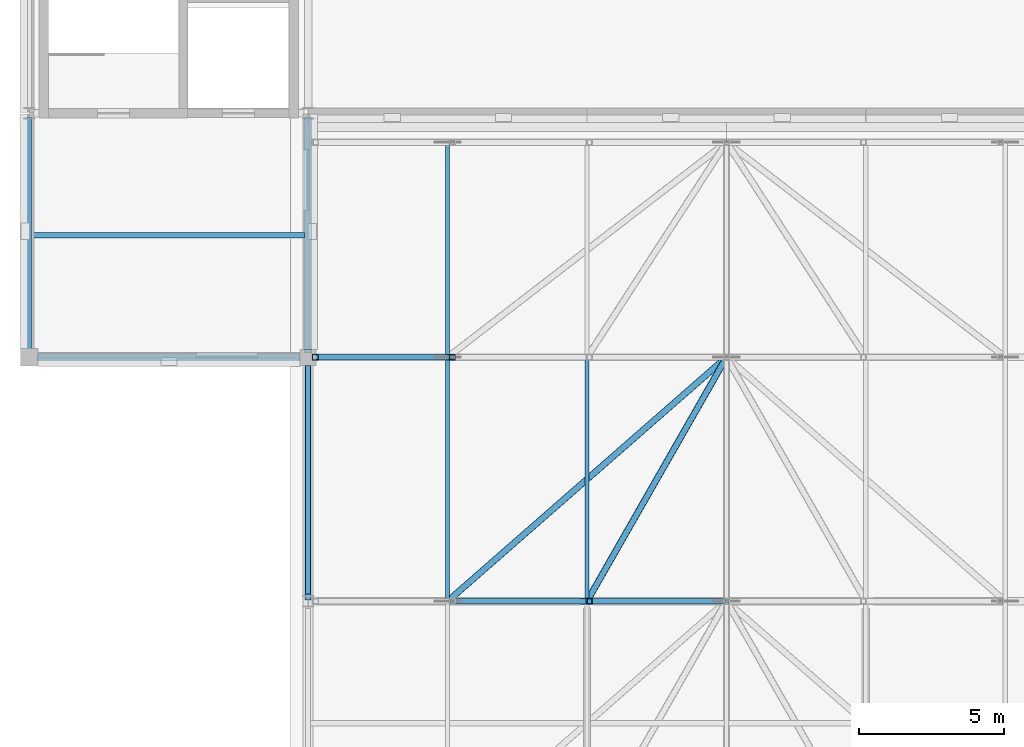
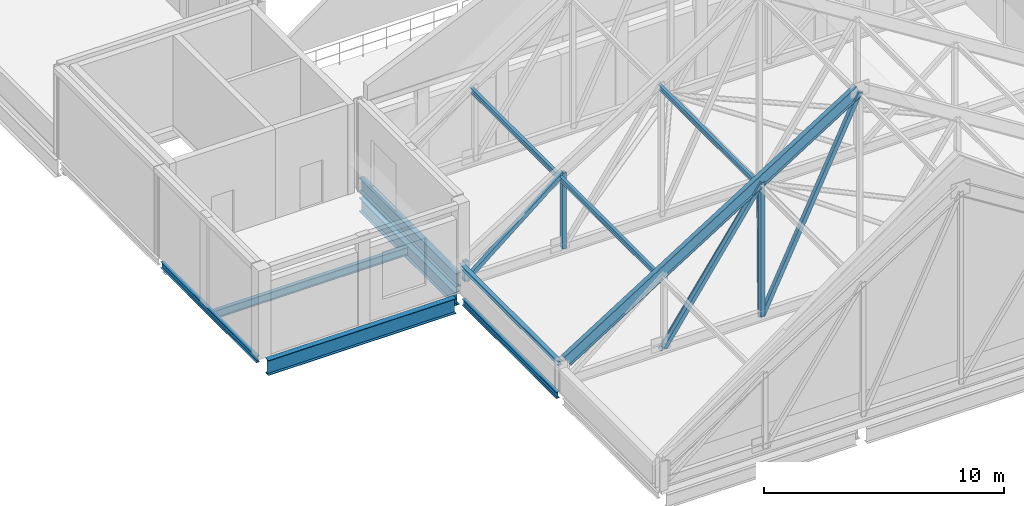
# One storey, part 5 of 26: 11 beams, 8 members.
"""IFC4 building model written with IfcOpenShell, lengths in metres."""

import ifcopenshell
import ifcopenshell.guid

model = None  # the IFC model being written
_history = None  # IfcOwnerHistory: only IFC2X3 demands one
_inside = {}  # id of a spatial element -> (the spatial element, [elements in it])
_under = {}  # id of a project, library or spatial element -> (it, [spatial elements below it])
_declared = {}  # id of a project -> (the project, [libraries it declares])
_typed = {}  # id of a type object -> (the type object, [elements of that type])
_made_of = {}  # id of a material, layer set ... -> (it, [elements and type objects made of it])


def new_model(schema):
    """Start an empty IFC model of exactly this schema.

    Asked for "IFC4X3", IfcOpenShell would pick the latest addendum, in which some entities
    have other attributes; the version numbers below select the first issue.
    IFC2X3 requires an IfcOwnerHistory on every rooted entity: one is made here for all.
    """
    global model, _history
    if schema == "IFC4X3":
        model = ifcopenshell.file(schema_version=(4, 3, 0, 0))
    else:
        model = ifcopenshell.file(schema=schema)
    _inside.clear()
    _under.clear()
    _declared.clear()
    _typed.clear()
    _made_of.clear()
    _history = None
    if model.schema == "IFC2X3":
        org = make("IfcOrganization", Name="unknown")
        user = make(
            "IfcPersonAndOrganization",
            ThePerson=make("IfcPerson", FamilyName="unknown"),
            TheOrganization=org,
        )
        app = make(
            "IfcApplication",
            ApplicationDeveloper=org,
            Version="unknown",
            ApplicationFullName="unknown",
            ApplicationIdentifier="unknown",
        )
        _history = make(
            "IfcOwnerHistory",
            OwningUser=user,
            OwningApplication=app,
            ChangeAction="ADDED",
            CreationDate=0,
        )
    return model


def make(cls, **values):
    """One entity of the class cls with the attributes given. An attribute that is None is left unset."""
    return model.create_entity(
        cls, **{name: value for name, value in values.items() if value is not None}
    )


def rooted(cls, **values):
    """An entity with a GlobalId (a new one), such as an element, a storey or a relation."""
    return make(cls, GlobalId=ifcopenshell.guid.new(), OwnerHistory=_history, **values)


def si_unit(unit_type, name, prefix=None):
    """IfcSIUnit, for example si_unit("LENGTHUNIT", "METRE", prefix="MILLI")."""
    return make("IfcSIUnit", UnitType=unit_type, Prefix=prefix, Name=name)


def assignment(units):
    """IfcUnitAssignment: the units of a project."""
    return None if units is None else make("IfcUnitAssignment", Units=units)


def point(xyz):
    """IfcCartesianPoint."""
    return None if xyz is None else make("IfcCartesianPoint", Coordinates=xyz)


def direction(xyz):
    """IfcDirection."""
    return None if xyz is None else make("IfcDirection", DirectionRatios=xyz)


def frame(location, z_axis=None, x_axis=None):
    """IfcAxis2Placement3D, a coordinate frame: its origin and axes. An axis left out is left unset."""
    return make(
        "IfcAxis2Placement3D",
        Location=point(location),
        Axis=direction(z_axis),
        RefDirection=direction(x_axis),
    )


def frame_2d(location, x_axis=None):
    """IfcAxis2Placement2D, a coordinate frame in the plane: its origin and x axis."""
    return make(
        "IfcAxis2Placement2D", Location=point(location), RefDirection=direction(x_axis)
    )


def origin():
    """The frame at (0, 0, 0) with its axes left unset."""
    return frame((0.0, 0.0, 0.0))


def origin_2d():
    """The frame at (0, 0) in the plane with its x axis left unset."""
    return frame_2d((0.0, 0.0))


def place(relative_to, where):
    """IfcLocalPlacement: puts the frame where relative to a parent placement (None: the world)."""
    return make(
        "IfcLocalPlacement", PlacementRelTo=relative_to, RelativePlacement=where
    )


def context(
    kind, dimensions, precision=None, world=None, true_north=None, identifier=None
):
    """IfcGeometricRepresentationContext, for example the 3D "Model" context."""
    return make(
        "IfcGeometricRepresentationContext",
        ContextIdentifier=identifier,
        ContextType=kind,
        CoordinateSpaceDimension=dimensions,
        Precision=precision,
        WorldCoordinateSystem=world,
        TrueNorth=true_north,
    )


def subcontext(parent, identifier, kind, view, scale=None):
    """IfcGeometricRepresentationSubContext, for example "Body" below "Model"."""
    return make(
        "IfcGeometricRepresentationSubContext",
        ContextIdentifier=identifier,
        ContextType=kind,
        ParentContext=parent,
        TargetScale=scale,
        TargetView=view,
    )


def project(units=None, contexts=None):
    """IfcProject with its units and contexts."""
    return rooted(
        "IfcProject",
        Name="project",
        RepresentationContexts=contexts,
        UnitsInContext=assignment(units),
    )


def spatial(cls, under=None, at=None, **own):
    """A site, building, storey or space (cls), placed at a placement, below another one or the project."""
    s = rooted(cls, ObjectPlacement=at, **own)
    if under is not None:
        _under.setdefault(under.id(), (under, []))[1].append(s)
    return s


def profile(cls, at=None, kind="AREA", **sizes):
    """A parametric profile (cls). Its sizes go by their IFC names, for example OverallWidth=200.0."""
    return make(cls, ProfileType=kind, Position=at, **sizes)


def hollow_rectangle(**sizes):
    """IfcRectangleHollowProfileDef."""
    return profile("IfcRectangleHollowProfileDef", **sizes)


def hollow_circle(**sizes):
    """IfcCircleHollowProfileDef."""
    return profile("IfcCircleHollowProfileDef", **sizes)


def i_section(**sizes):
    """IfcIShapeProfileDef."""
    return profile("IfcIShapeProfileDef", **sizes)


def extrude(swept, where, along, depth):
    """IfcExtrudedAreaSolid: the profile swept, set in the frame where, extruded along a direction by depth."""
    return make(
        "IfcExtrudedAreaSolid",
        SweptArea=swept,
        Position=where,
        ExtrudedDirection=direction(along),
        Depth=depth,
    )


def shape(context_of_items, identifier, shape_type, items):
    """IfcShapeRepresentation: the items that make up one representation, for example the "Body"."""
    return make(
        "IfcShapeRepresentation",
        ContextOfItems=context_of_items,
        RepresentationIdentifier=identifier,
        RepresentationType=shape_type,
        Items=items,
    )


def material(Name=None, Category=None):
    """IfcMaterial."""
    return make("IfcMaterial", Name=Name, Category=Category)


def material_profile(
    of_material, cross_section, Name=None, Category=None, Priority=None
):
    """IfcMaterialProfile: a cross section and its material."""
    return make(
        "IfcMaterialProfile",
        Name=Name,
        Material=of_material,
        Profile=cross_section,
        Priority=Priority,
        Category=Category,
    )


def profile_set(profiles, Name=None, composite=None):
    """IfcMaterialProfileSet."""
    return make(
        "IfcMaterialProfileSet",
        Name=Name,
        MaterialProfiles=profiles,
        CompositeProfile=composite,
    )


def made_of(thing, what):
    """Note that an element or type object is made of a material, layer set ...; save() writes the relation."""
    if what is not None:
        _made_of.setdefault(what.id(), (what, []))[1].append(thing)
    return thing


def type_object(cls, material=None, **own):
    """A type object (cls), such as IfcWallType, which elements share."""
    return made_of(rooted(cls, **own), material)


def element(
    cls,
    number,
    at=None,
    inside=None,
    cuts=None,
    type_object=None,
    material=None,
    context=None,
    identifier="Body",
    shape_type=None,
    held_by="IfcProductDefinitionShape",
    body=None,
    shapes=None,
    **own,
):
    """One element of the class cls, such as IfcWall. Its Tag is "e" and its number.

    at: its placement. inside: the storey or other place that contains it. cuts: it is an
    opening in that element (IfcRelVoidsElement). A single representation is given by context,
    identifier, shape_type and body (its items); several are given by shapes. held_by: the class
    of the entity that holds the representations. save() writes the other relations.
    """
    e = rooted(cls, Tag="e%d" % number, ObjectPlacement=at, **own)
    if body is not None:
        shapes = [shape(context, identifier, shape_type, body)]
    if shapes is not None:
        e.Representation = make(held_by, Representations=shapes)
    if inside is not None:
        _inside.setdefault(inside.id(), (inside, []))[1].append(e)
    if cuts is not None:
        rooted(
            "IfcRelVoidsElement", RelatingBuildingElement=cuts, RelatedOpeningElement=e
        )
    if type_object is not None:
        _typed.setdefault(type_object.id(), (type_object, []))[1].append(e)
    return made_of(e, material)


def aggregate(whole, parts):
    """IfcRelAggregates: a whole, such as a stair, and the parts it consists of."""
    return rooted("IfcRelAggregates", RelatingObject=whole, RelatedObjects=parts)


def save(model, path):
    """Write the relations noted so far, then the file.

    IfcRelAggregates (storeys below a building ...), IfcRelContainedInSpatialStructure (elements
    in a storey), IfcRelDefinesByType, IfcRelAssociatesMaterial and IfcRelDeclares: one each for
    every whole, place, type object, material and project.
    """
    for whole, parts in _under.values():
        aggregate(whole, parts)
    for where, things in _inside.values():
        rooted(
            "IfcRelContainedInSpatialStructure",
            RelatedElements=things,
            RelatingStructure=where,
        )
    for kind, things in _typed.values():
        rooted("IfcRelDefinesByType", RelatedObjects=things, RelatingType=kind)
    for what, things in _made_of.values():
        rooted("IfcRelAssociatesMaterial", RelatedObjects=things, RelatingMaterial=what)
    for by, libraries in _declared.values():
        rooted("IfcRelDeclares", RelatingContext=by, RelatedDefinitions=libraries)
    model.write(path)


model = new_model("IFC4")

# Units and contexts
model_context = context("Model", 3, precision=1e-05, world=origin(), true_north=direction((0.0, 1.0)))
body_context = subcontext(model_context, "Body", "Model", "MODEL_VIEW")
ifc_project = project(units=[si_unit("LENGTHUNIT", "METRE"), si_unit("AREAUNIT", "SQUARE_METRE"), si_unit("VOLUMEUNIT", "CUBIC_METRE"), si_unit("PLANEANGLEUNIT", "RADIAN"), si_unit("MASSUNIT", "GRAM", prefix="KILO")], contexts=[model_context])

# Site, building, storey
site_placement = place(None, origin())
site = spatial("IfcSite", under=ifc_project, at=site_placement, CompositionType="ELEMENT")
building_placement = place(site_placement, origin())
building = spatial("IfcBuilding", under=site, at=building_placement, Name="Lornevale Opera House", CompositionType="ELEMENT")
storey_placement = place(building_placement, frame((0.0, 0.0, 19.800048828125)))
storey = spatial("IfcBuildingStorey", under=building, at=storey_placement, Name="L05", CompositionType="ELEMENT", Elevation=19.800048828125)

# Beams
ifc_material = material(Name="Structural Steel CSA G40.21 Grade 350W (350 MPa)", Category="steel")
ifc_material_profile_1 = material_profile(ifc_material, i_section(OverallWidth=0.202880859375, OverallDepth=0.202880859375, WebThickness=0.007080078125, FlangeThickness=0.010986328125, at=origin_2d()), Name="W200x46")
ifc_profile_set_1 = profile_set([ifc_material_profile_1], Name="Structural Steel CSA G40.21 Grade 350W (350 MPa)")
beam_type_1 = type_object("IfcBeamType", Name="Attic Collar Tie W200x46", PredefinedType="JOIST", material=ifc_profile_set_1)
beam_1_placement = place(storey_placement, frame((67.199951171875, 42.050048828125, 1.25), z_axis=(0.0, 1.0, 0.0), x_axis=(-1.0, 0.0, 0.0)))
element("IfcBeam", 1, at=beam_1_placement, inside=storey, type_object=beam_type_1, Name="Attic Collar Tie W200x46 3057", PredefinedType="JOIST", context=body_context, shape_type="SweptSolid", body=[
    extrude(i_section(OverallWidth=0.202880859375, OverallDepth=0.202880859375, WebThickness=0.007080078125, FlangeThickness=0.010986328125, at=origin_2d()), origin(), (0.0, 0.0, 1.0), 8.300048828125),
])
ifc_material_profile_2 = material_profile(ifc_material, i_section(OverallWidth=0.22900390625, OverallDepth=0.612060546875, WebThickness=0.011962890625, FlangeThickness=0.01953125, at=origin_2d()), Name="W610x125")
ifc_profile_set_2 = profile_set([ifc_material_profile_2], Name="Structural Steel CSA G40.21 Grade 350W (350 MPa)")
beam_type_2 = type_object("IfcBeamType", Name="Auditorium Truss Top Chord W610x125", PredefinedType="BEAM", material=ifc_profile_set_2)
beam_2_placement = place(storey_placement, frame((67.449951171875, 42.0, 1.349853515625), z_axis=(0.846355912416, 0.0, 0.532617751788), x_axis=(0.0, 1.0, 0.0)))
element("IfcBeam", 2, at=beam_2_placement, inside=storey, type_object=beam_type_2, Name="Auditorium Truss Top Chord W610x125 2961", PredefinedType="BEAM", context=body_context, shape_type="SweptSolid", body=[
    extrude(i_section(OverallWidth=0.22900390625, OverallDepth=0.612060546875, WebThickness=0.011962890625, FlangeThickness=0.01953125, at=origin_2d()), origin(), (0.0, 0.0, 1.0), 16.65966796875),
])

# Members
ifc_material_profile_3 = material_profile(ifc_material, hollow_rectangle(XDim=0.202880859375, YDim=0.202880859375, WallThickness=0.010986328125, at=origin_2d()), Name="HSS203x203x11")
ifc_profile_set_3 = profile_set([ifc_material_profile_3], Name="Structural Steel CSA G40.21 Grade 350W (350 MPa)")
member_type_1 = type_object("IfcMemberType", Name="Auditorium Truss Web HSS203x203x11", PredefinedType="STRUT", material=ifc_profile_set_3)
member_1_placement = place(storey_placement, frame((76.88330078125, 42.0, 0.349853515625), z_axis=(0.0, 0.0, 1.0), x_axis=(1.0, 0.0, 0.0)))
element("IfcMember", 3, at=member_1_placement, inside=storey, type_object=member_type_1, Name="Auditorium Truss Web HSS203x203x11 0021", PredefinedType="STRUT", context=body_context, shape_type="SweptSolid", body=[
    extrude(hollow_rectangle(XDim=0.202880859375, YDim=0.202880859375, WallThickness=0.010986328125, at=origin_2d()), origin(), (0.0, 0.0, 1.0), 6.8154296875),
])
member_2_placement = place(storey_placement, frame((72.166748046875, 42.0, 0.349853515625), z_axis=(0.56906139323, 0.0, 0.822295038739), x_axis=(0.0, 1.0, 0.0)))
element("IfcMember", 4, at=member_2_placement, inside=storey, type_object=member_type_1, Name="Auditorium Truss Web HSS203x203x11 0022", PredefinedType="STRUT", context=body_context, shape_type="SweptSolid", body=[
    extrude(hollow_rectangle(XDim=0.202880859375, YDim=0.202880859375, WallThickness=0.010986328125, at=origin_2d()), origin(), (0.0, 0.0, 1.0), 8.288330078125),
])
member_3_placement = place(storey_placement, frame((76.88330078125, 42.0, 0.349853515625), z_axis=(0.434652174265, 0.0, 0.900598405177), x_axis=(0.0, 1.0, 0.0)))
element("IfcMember", 5, at=member_3_placement, inside=storey, type_object=member_type_1, Name="Auditorium Truss Web HSS203x203x11 0024", PredefinedType="STRUT", context=body_context, shape_type="SweptSolid", body=[
    extrude(hollow_rectangle(XDim=0.202880859375, YDim=0.202880859375, WallThickness=0.010986328125, at=origin_2d()), origin(), (0.0, 0.0, 1.0), 10.851806640625),
])
member_4_placement = place(storey_placement, frame((67.449951171875, 50.39990234375, 0.349853515625), z_axis=(0.0, 0.0, 1.0), x_axis=(1.0, 0.0, 0.0)))
element("IfcMember", 6, at=member_4_placement, inside=storey, type_object=member_type_1, Name="Auditorium Truss Web HSS203x203x11 0029", PredefinedType="STRUT", context=body_context, shape_type="SweptSolid", body=[
    extrude(hollow_rectangle(XDim=0.202880859375, YDim=0.202880859375, WallThickness=0.010986328125, at=origin_2d()), origin(), (0.0, 0.0, 1.0), 1.0),
])
member_5_placement = place(storey_placement, frame((72.166748046875, 50.39990234375, 0.349853515625), z_axis=(0.0, 0.0, 1.0), x_axis=(1.0, 0.0, 0.0)))
element("IfcMember", 7, at=member_5_placement, inside=storey, type_object=member_type_1, Name="Auditorium Truss Web HSS203x203x11 0031", PredefinedType="STRUT", context=body_context, shape_type="SweptSolid", body=[
    extrude(hollow_rectangle(XDim=0.202880859375, YDim=0.202880859375, WallThickness=0.010986328125, at=origin_2d()), origin(), (0.0, 0.0, 1.0), 3.85791015625),
])
member_6_placement = place(storey_placement, frame((67.449951171875, 50.39990234375, 0.349853515625), z_axis=(0.774060823837, 0.0, 0.633111239041), x_axis=(0.0, 1.0, 0.0)))
element("IfcMember", 8, at=member_6_placement, inside=storey, type_object=member_type_1, Name="Auditorium Truss Web HSS203x203x11 0032", PredefinedType="STRUT", context=body_context, shape_type="SweptSolid", body=[
    extrude(hollow_rectangle(XDim=0.202880859375, YDim=0.202880859375, WallThickness=0.010986328125, at=origin_2d()), origin(), (0.0, 0.0, 1.0), 6.093505859375),
])

# Beams
ifc_material_profile_4 = material_profile(ifc_material, i_section(OverallWidth=0.14794921875, OverallDepth=0.26611328125, WebThickness=0.007568359375, FlangeThickness=0.012939453125, at=origin_2d()), Name="W250x45")
ifc_profile_set_4 = profile_set([ifc_material_profile_4], Name="Structural Steel CSA G40.21 Grade 350W (350 MPa)")
beam_type_3 = type_object("IfcBeamType", Name="Copper Roof Purlin W250x45", PredefinedType="JOIST", material=ifc_profile_set_4)
beam_3_placement = place(storey_placement, frame((72.0, 42.0, 3.987548828125), z_axis=(0.0, 1.0, 0.0), x_axis=(-1.0, 0.0, 0.0)))
element("IfcBeam", 9, at=beam_3_placement, inside=storey, type_object=beam_type_3, Name="Copper Roof Purlin W250x45 2970", PredefinedType="JOIST", context=body_context, shape_type="SweptSolid", body=[
    extrude(i_section(OverallWidth=0.14794921875, OverallDepth=0.26611328125, WebThickness=0.007568359375, FlangeThickness=0.012939453125, at=origin_2d()), origin(), (0.0, 0.0, 1.0), 8.39990234375),
])
beam_4_placement = place(storey_placement, frame((72.0, 50.39990234375, 3.987548828125), z_axis=(0.0, 1.0, 0.0), x_axis=(-1.0, 0.0, 0.0)))
element("IfcBeam", 10, at=beam_4_placement, inside=storey, type_object=beam_type_3, Name="Copper Roof Purlin W250x45 2971", PredefinedType="JOIST", context=body_context, shape_type="SweptSolid", body=[
    extrude(i_section(OverallWidth=0.14794921875, OverallDepth=0.26611328125, WebThickness=0.007568359375, FlangeThickness=0.012939453125, at=origin_2d()), origin(), (0.0, 0.0, 1.0), 7.400146484375),
])
beam_5_placement = place(storey_placement, frame((76.800048828125, 42.0, 6.9453125), z_axis=(0.0, 1.0, 0.0), x_axis=(-1.0, 0.0, 0.0)))
element("IfcBeam", 11, at=beam_5_placement, inside=storey, type_object=beam_type_3, Name="Copper Roof Purlin W250x45 2973", PredefinedType="JOIST", context=body_context, shape_type="SweptSolid", body=[
    extrude(i_section(OverallWidth=0.14794921875, OverallDepth=0.26611328125, WebThickness=0.007568359375, FlangeThickness=0.012939453125, at=origin_2d()), origin(), (0.0, 0.0, 1.0), 8.39990234375),
])

# Members
ifc_material_profile_5 = material_profile(ifc_material, hollow_circle(Radius=0.109619140625, WallThickness=0.009521484375, at=origin_2d()), Name="HSS219x10")
ifc_profile_set_5 = profile_set([ifc_material_profile_5], Name="Structural Steel CSA G40.21 Grade 350W (350 MPa)")
member_type_2 = type_object("IfcMemberType", Name="Roof Plan Wind Brace HSS219x10", PredefinedType="BRACE", material=ifc_profile_set_5)
member_7_placement = place(storey_placement, frame((72.0, 42.0, 0.349853515625), z_axis=(0.752583808274, 0.658496477989, 0.0), x_axis=(-0.658496477989, 0.752583808274, 0.0)))
element("IfcMember", 12, at=member_7_placement, inside=storey, type_object=member_type_2, Name="Roof Plan Wind Brace HSS219x10 0054", PredefinedType="BRACE", context=body_context, shape_type="SweptSolid", body=[
    extrude(hollow_circle(Radius=0.109619140625, WallThickness=0.009521484375, at=origin_2d()), origin(), (0.0, 0.0, 1.0), 12.756103515625),
])
member_8_placement = place(storey_placement, frame((76.800048828125, 42.0, 0.349853515625), z_axis=(0.49614709121, 0.8682384833, 0.0), x_axis=(-0.8682384833, 0.49614709121, 0.0)))
element("IfcMember", 13, at=member_8_placement, inside=storey, type_object=member_type_2, Name="Roof Plan Wind Brace HSS219x10 0057", PredefinedType="BRACE", context=body_context, shape_type="SweptSolid", body=[
    extrude(hollow_circle(Radius=0.109619140625, WallThickness=0.009521484375, at=origin_2d()), origin(), (0.0, 0.0, 1.0), 9.674560546875),
])

# Beams
ifc_material_profile_6 = material_profile(ifc_material, i_section(OverallWidth=0.179931640625, OverallDepth=0.4130859375, WebThickness=0.009765625, FlangeThickness=0.01611328125, at=origin_2d()), Name="W410x74")
ifc_profile_set_6 = profile_set([ifc_material_profile_6], Name="Structural Steel CSA G40.21 Grade 350W (350 MPa)")
beam_type_4 = type_object("IfcBeamType", Name="Steel Floor Joist W410x74", PredefinedType="JOIST", material=ifc_profile_set_6)
beam_6_placement = place(storey_placement, frame((57.68359375, 54.60009765625, -0.54150390625), z_axis=(1.0, 0.0, 0.0), x_axis=(0.0, 1.0, 0.0)))
element("IfcBeam", 14, at=beam_6_placement, inside=storey, type_object=beam_type_4, Name="Steel Floor Joist W410x74 2805", PredefinedType="JOIST", context=body_context, shape_type="SweptSolid", body=[
    extrude(i_section(OverallWidth=0.179931640625, OverallDepth=0.4130859375, WebThickness=0.009765625, FlangeThickness=0.01611328125, at=origin_2d()), origin(), (0.0, 0.0, 1.0), 9.389404296875),
])
ifc_material_profile_7 = material_profile(ifc_material, i_section(OverallWidth=0.25390625, OverallDepth=0.68798828125, WebThickness=0.01318359375, FlangeThickness=0.02099609375, at=origin_2d()), Name="W690x152")
ifc_profile_set_7 = profile_set([ifc_material_profile_7], Name="Structural Steel CSA G40.21 Grade 350W (350 MPa)")
beam_type_5 = type_object("IfcBeamType", Name="Steel Foyer Beam W690x152", PredefinedType="USERDEFINED", material=ifc_profile_set_7)
beam_7_placement = place(storey_placement, frame((67.199951171875, 50.675048828125, -0.678955078125), z_axis=(0.0, 1.0, 0.0), x_axis=(-1.0, 0.0, 0.0)))
element("IfcBeam", 15, at=beam_7_placement, inside=storey, type_object=beam_type_5, Name="Steel Foyer Beam W690x152 2763", ObjectType="GIRDER", PredefinedType="USERDEFINED", context=body_context, shape_type="SweptSolid", body=[
    extrude(i_section(OverallWidth=0.25390625, OverallDepth=0.68798828125, WebThickness=0.01318359375, FlangeThickness=0.02099609375, at=origin_2d()), origin(), (0.0, 0.0, 1.0), 7.975341796875),
])
beam_8_placement = place(storey_placement, frame((67.199951171875, 50.550048828125, 0.349853515625), z_axis=(0.0, 1.0, 0.0), x_axis=(-1.0, 0.0, 0.0)))
element("IfcBeam", 16, at=beam_8_placement, inside=storey, type_object=beam_type_5, Name="Steel Foyer Beam W690x152 2955", ObjectType="GIRDER", PredefinedType="USERDEFINED", context=body_context, shape_type="SweptSolid", body=[
    extrude(i_section(OverallWidth=0.25390625, OverallDepth=0.68798828125, WebThickness=0.01318359375, FlangeThickness=0.02099609375, at=origin_2d()), origin(), (0.0, 0.0, 1.0), 8.099853515625),
])
ifc_material_profile_8 = material_profile(ifc_material, i_section(OverallWidth=0.1669921875, OverallDepth=0.31689453125, WebThickness=0.007568359375, FlangeThickness=0.01318359375, at=origin_2d()), Name="W310x52")
ifc_profile_set_8 = profile_set([ifc_material_profile_8], Name="Structural Steel CSA G40.21 Grade 350W (350 MPa)")
beam_type_6 = type_object("IfcBeamType", Name="Steel Spandrel Beam W310x52", PredefinedType="SPANDREL", material=ifc_profile_set_8)
beam_9_placement = place(storey_placement, frame((57.60009765625, 50.675048828125, -0.41357421875), z_axis=(0.0, 1.0, 0.0), x_axis=(-1.0, 0.0, 0.0)))
element("IfcBeam", 17, at=beam_9_placement, inside=storey, type_object=beam_type_6, Name="Steel Spandrel Beam W310x52 2758", PredefinedType="SPANDREL", context=body_context, shape_type="SweptSolid", body=[
    extrude(i_section(OverallWidth=0.1669921875, OverallDepth=0.31689453125, WebThickness=0.007568359375, FlangeThickness=0.01318359375, at=origin_2d()), origin(), (0.0, 0.0, 1.0), 7.9814453125),
])
beam_10_placement = place(storey_placement, frame((67.199951171875, 42.25, -0.49365234375), z_axis=(0.0, 1.0, 0.0), x_axis=(-1.0, 0.0, 0.0)))
element("IfcBeam", 18, at=beam_10_placement, inside=storey, type_object=beam_type_6, Name="Steel Spandrel Beam W310x52 2762", PredefinedType="SPANDREL", context=body_context, shape_type="SweptSolid", body=[
    extrude(i_section(OverallWidth=0.1669921875, OverallDepth=0.31689453125, WebThickness=0.007568359375, FlangeThickness=0.01318359375, at=origin_2d()), origin(), (0.0, 0.0, 1.0), 7.875),
])
ifc_material_profile_9 = material_profile(ifc_material, i_section(OverallWidth=0.26708984375, OverallDepth=0.76611328125, WebThickness=0.014892578125, FlangeThickness=0.023681640625, at=origin_2d()), Name="W760x185")
ifc_profile_set_9 = profile_set([ifc_material_profile_9], Name="Structural Steel CSA G40.21 Grade 350W (350 MPa)")
beam_type_7 = type_object("IfcBeamType", Name="Steel Workshop Girder W760x185", PredefinedType="USERDEFINED", material=ifc_profile_set_9)
beam_11_placement = place(storey_placement, frame((57.875, 50.39990234375, -0.718017578125), z_axis=(1.0, 0.0, 0.0), x_axis=(0.0, 1.0, 0.0)))
element("IfcBeam", 19, at=beam_11_placement, inside=storey, type_object=beam_type_7, Name="Steel Workshop Girder W760x185 2732", ObjectType="GIRDER", PredefinedType="USERDEFINED", context=body_context, shape_type="SweptSolid", body=[
    extrude(i_section(OverallWidth=0.26708984375, OverallDepth=0.76611328125, WebThickness=0.014892578125, FlangeThickness=0.023681640625, at=origin_2d()), origin(), (0.0, 0.0, 1.0), 9.050048828125),
])

save(model, "model.ifc")
